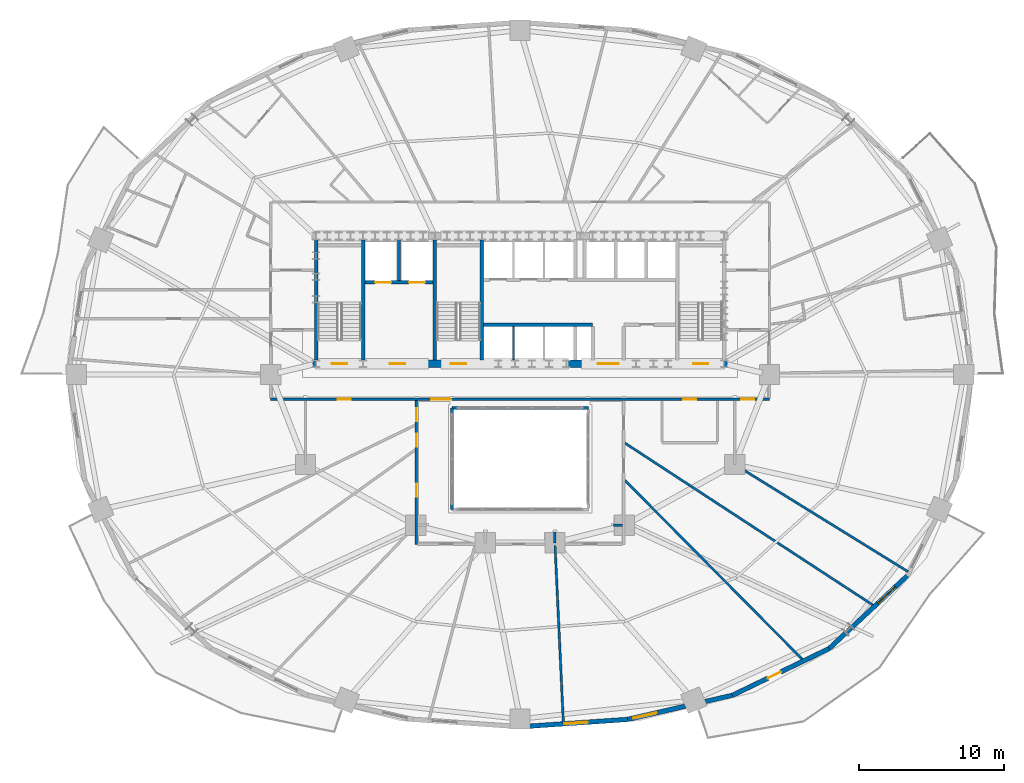
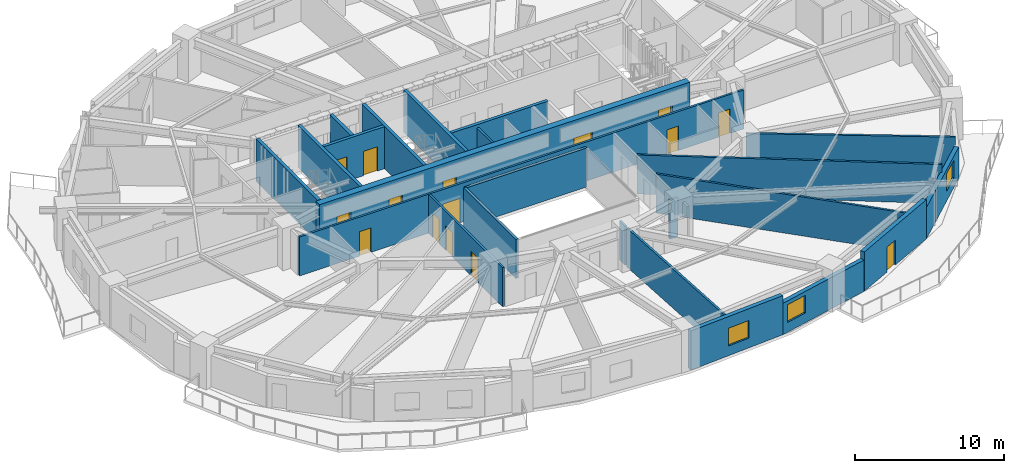
# One storey, part 10 of 17: 23 walls, 15 doors, 3 windows, 18 openings.
"""IFC4 building model written with IfcOpenShell, lengths in metres."""

from ifc_helpers import new_model, si_unit, direction, frame, frame_2d, origin, place, context, subcontext, project, spatial, rectangle, extrude, material, layer, layer_set, type_object, element, fill, save


model = new_model("IFC4")

# Units and contexts
model_context = context("Model", 3, precision=1e-05, world=origin(), true_north=direction((0.0, 1.0)))
body_context = subcontext(model_context, "Body", "Model", "MODEL_VIEW")
ifc_project = project(units=[si_unit("LENGTHUNIT", "METRE"), si_unit("AREAUNIT", "SQUARE_METRE"), si_unit("VOLUMEUNIT", "CUBIC_METRE"), si_unit("PLANEANGLEUNIT", "RADIAN"), si_unit("MASSUNIT", "GRAM", prefix="KILO")], contexts=[model_context])

# Site, building, storey
site_placement = place(None, origin())
site = spatial("IfcSite", under=ifc_project, at=site_placement, CompositionType="ELEMENT")
building_placement = place(site_placement, origin())
building = spatial("IfcBuilding", under=site, at=building_placement, Name="Haldorwick Loom Tower", CompositionType="ELEMENT")
storey_placement = place(building_placement, frame((0.0, 0.0, 34.35009765625)))
storey = spatial("IfcBuildingStorey", under=building, at=storey_placement, Name="L08", CompositionType="ELEMENT", Elevation=34.35009765625)

# Wall, opening, window
ifc_material_1 = material(Name="Pressed Clay Face Brick and Insulated Masonry Backup Assembly", Category="masonry")
ifc_layer_1 = layer(ifc_material_1, 0.320068359375, Name="Pressed Clay Face Brick and Insulated Masonry Backup Assembly", Category="masonry")
ifc_layer_set_1 = layer_set([ifc_layer_1], Name="Pressed Clay Face Brick and Insulated Masonry Backup Assembly")
wall_type_1 = type_object("IfcWallType", Name="ARC-WL-EXT320", PredefinedType="STANDARD", material=ifc_layer_set_1)
wall_1_placement = place(storey_placement, frame((36.0, 1.7099609375, 0.0), z_axis=(0.0, 0.0, 1.0), x_axis=(0.997645161917, 0.068586667092, 0.0)))
wall_1 = element("IfcWall", 1, at=wall_1_placement, inside=storey, type_object=wall_type_1, Name="L08 Brick Pier and Spandrel Wall 19", PredefinedType="STANDARD", context=body_context, shape_type="SweptSolid", body=[
    extrude(rectangle(XDim=7.428955078125, YDim=0.320068359375, at=frame_2d((3.71435546875, 0.0))), origin(), (0.0, 0.0, 1.0), 3.2099609375),
])
opening_1_placement = place(wall_1_placement, frame((3.039306640625, 0.0, 0.800048828125)))
opening_1 = element("IfcOpeningElement", 2, at=opening_1_placement, cuts=wall_1, Name="Opening W-01B", PredefinedType="OPENING", context=body_context, shape_type="SweptSolid", body=[
    extrude(rectangle(XDim=1.64990234375, YDim=1.449951171875, at=frame_2d((0.824951171875, 0.72509765625))), frame((0.0, 0.169921875, 0.0), z_axis=(0.0, -1.0, 0.0), x_axis=(1.0, 0.0, 0.0)), (0.0, 0.0, 1.0), 0.340087890625),
])
ifc_material_2 = material(Name="Triple-Glazed Low-E Argon Insulated Glazing Unit", Category="glass")
window_type = type_object("IfcWindowType", Name="ARC-WIN-W165", PartitioningType="SINGLE_PANEL", PredefinedType="WINDOW", material=ifc_material_2)
window_1_placement = place(opening_1_placement, origin())
window_1 = element("IfcWindow", 3, at=window_1_placement, inside=storey, type_object=window_type, Name="L08 Deep-Set Zone 7A Window 19", OverallHeight=1.449951171875, OverallWidth=1.64990234375, PartitioningType="SINGLE_PANEL", PredefinedType="WINDOW", context=body_context, shape_type="SweptSolid", body=[
    extrude(rectangle(XDim=1.64990234375, YDim=1.449951171875, at=frame_2d((0.824951171875, 0.72509765625))), frame((0.0, 0.030029296875, 0.0), z_axis=(0.0, -1.0, 0.0), x_axis=(1.0, 0.0, 0.0)), (0.0, 0.0, 1.0), 0.06005859375),
])
fill(opening_1, window_1)

wall_2_placement = place(storey_placement, frame((43.411376953125, 2.219482421875, 0.0), z_axis=(0.0, 0.0, 1.0), x_axis=(0.974522412345, 0.224290142088, 0.0)))
wall_2 = element("IfcWall", 4, at=wall_2_placement, inside=storey, type_object=wall_type_1, Name="L08 Brick Pier and Spandrel Wall 20", PredefinedType="STANDARD", context=body_context, shape_type="SweptSolid", body=[
    extrude(rectangle(XDim=7.422607421875, YDim=0.320068359375, at=frame_2d((3.71142578125, 0.0))), origin(), (0.0, 0.0, 1.0), 2.56884765625),
])
opening_2_placement = place(wall_2_placement, frame((0.39990234375, 0.0, 0.800048828125)))
opening_2 = element("IfcOpeningElement", 5, at=opening_2_placement, cuts=wall_2, Name="Opening W-01B", PredefinedType="OPENING", context=body_context, shape_type="SweptSolid", body=[
    extrude(rectangle(XDim=1.64990234375, YDim=1.449951171875, at=frame_2d((0.824951171875, 0.72509765625))), frame((0.0, 0.169921875, 0.0), z_axis=(0.0, -1.0, 0.0), x_axis=(1.0, 0.0, 0.0)), (0.0, 0.0, 1.0), 0.340087890625),
])
window_2_placement = place(opening_2_placement, origin())
window_2 = element("IfcWindow", 6, at=window_2_placement, inside=storey, type_object=window_type, Name="L08 Deep-Set Zone 7A Window 20", OverallHeight=1.449951171875, OverallWidth=1.64990234375, PartitioningType="SINGLE_PANEL", PredefinedType="WINDOW", context=body_context, shape_type="SweptSolid", body=[
    extrude(rectangle(XDim=1.64990234375, YDim=1.449951171875, at=frame_2d((0.824951171875, 0.72509765625))), frame((0.0, 0.030029296875, 0.0), z_axis=(0.0, -1.0, 0.0), x_axis=(1.0, 0.0, 0.0)), (0.0, 0.0, 1.0), 0.06005859375),
])
fill(opening_2, window_2)

# Wall, opening, door
wall_3_placement = place(storey_placement, frame((50.644775390625, 3.88427734375, 0.0), z_axis=(0.0, 0.0, 1.0), x_axis=(0.900295710431, 0.435278800057, 0.0)))
wall_3 = element("IfcWall", 7, at=wall_3_placement, inside=storey, type_object=wall_type_1, Name="L08 Brick Pier and Spandrel Wall 21", PredefinedType="STANDARD", context=body_context, shape_type="SweptSolid", body=[
    extrude(rectangle(XDim=7.39697265625, YDim=0.320068359375, at=frame_2d((3.698486328125, 0.0))), origin(), (0.0, 0.0, 1.0), 3.2099609375),
])
opening_3_placement = place(wall_3_placement, frame((2.705322265625, 0.0, 0.0)))
opening_3 = element("IfcOpeningElement", 8, at=opening_3_placement, cuts=wall_3, Name="Opening D-BL10", PredefinedType="OPENING", context=body_context, shape_type="SweptSolid", body=[
    extrude(rectangle(XDim=1.0, YDim=2.0400390625, at=frame_2d((0.5, 1.02001953125))), frame((0.0, 0.169921875, 0.0), z_axis=(0.0, -1.0, 0.0), x_axis=(1.0, 0.0, 0.0)), (0.0, 0.0, 1.0), 0.340087890625),
])
ifc_material_3 = material(Name="Thermally Broken Anodized Aluminium Curtain Wall Framing", Category="aluminium")
door_type_1 = type_object("IfcDoorType", Name="ARC-DR-BAL100", OperationType="NOTDEFINED", PredefinedType="DOOR", material=ifc_material_3)
door_1_placement = place(opening_3_placement, origin())
door_1 = element("IfcDoor", 9, at=door_1_placement, inside=storey, type_object=door_type_1, Name="L08 Outdoor Terrace Door SLB-L08-BAL_SE", OperationType="SINGLE_SWING_RIGHT", OverallHeight=2.0400390625, OverallWidth=1.0, PredefinedType="DOOR", context=body_context, shape_type="SweptSolid", body=[
    extrude(rectangle(XDim=1.0, YDim=2.0400390625, at=frame_2d((0.5, 1.02001953125))), frame((0.0, 0.02490234375, 0.0), z_axis=(0.0, -1.0, 0.0), x_axis=(1.0, 0.0, 0.0)), (0.0, 0.0, 1.0), 0.050048828125),
])
fill(opening_3, door_1)

# Wall, opening, window
wall_4_placement = place(storey_placement, frame((57.30419921875, 7.10400390625, 0.0), z_axis=(0.0, 0.0, 1.0), x_axis=(0.73176101237, 0.681561311091, 0.0)))
wall_4 = element("IfcWall", 10, at=wall_4_placement, inside=storey, type_object=wall_type_1, Name="L08 Brick Pier and Spandrel Wall 22", PredefinedType="STANDARD", context=body_context, shape_type="SweptSolid", body=[
    extrude(rectangle(XDim=7.3583984375, YDim=0.320068359375, at=frame_2d((3.67919921875, 0.0))), origin(), (0.0, 0.0, 1.0), 2.56884765625),
])
opening_4_placement = place(wall_4_placement, frame((4.590087890625, 0.0, 0.800048828125)))
opening_4 = element("IfcOpeningElement", 11, at=opening_4_placement, cuts=wall_4, Name="Opening W-01B", PredefinedType="OPENING", context=body_context, shape_type="SweptSolid", body=[
    extrude(rectangle(XDim=1.64990234375, YDim=1.449951171875, at=frame_2d((0.824951171875, 0.72509765625))), frame((0.0, 0.169921875, 0.0), z_axis=(0.0, -1.0, 0.0), x_axis=(1.0, 0.0, 0.0)), (0.0, 0.0, 1.0), 0.340087890625),
])
window_3_placement = place(opening_4_placement, origin())
window_3 = element("IfcWindow", 12, at=window_3_placement, inside=storey, type_object=window_type, Name="L08 Deep-Set Zone 7A Window 22", OverallHeight=1.449951171875, OverallWidth=1.64990234375, PartitioningType="SINGLE_PANEL", PredefinedType="WINDOW", context=body_context, shape_type="SweptSolid", body=[
    extrude(rectangle(XDim=1.64990234375, YDim=1.449951171875, at=frame_2d((0.824951171875, 0.72509765625))), frame((0.0, 0.030029296875, 0.0), z_axis=(0.0, -1.0, 0.0), x_axis=(1.0, 0.0, 0.0)), (0.0, 0.0, 1.0), 0.06005859375),
])
fill(opening_4, window_3)

# Wall, openings, doors
ifc_material_4 = material(Name="Fire-Rated Type X Gypsum Stud Assembly EI 60")
ifc_layer_2 = layer(ifc_material_4, 0.159912109375, Name="Fire-Rated Type X Gypsum Stud Assembly EI 60")
ifc_layer_set_2 = layer_set([ifc_layer_2], Name="Fire-Rated Type X Gypsum Stud Assembly EI 60")
wall_type_2 = type_object("IfcWallType", Name="ARC-WL-FIRE160", PredefinedType="PARTITIONING", material=ifc_layer_set_2)
wall_5_placement = place(storey_placement, frame((18.800048828125, 24.300048828125, 0.0), z_axis=(0.0, 0.0, 1.0), x_axis=(1.0, 0.0, 0.0)))
wall_5 = element("IfcWall", 13, at=wall_5_placement, inside=storey, type_object=wall_type_2, Name="L08 Residential Fire Partition L08-CR-SP", PredefinedType="PARTITIONING", context=body_context, shape_type="SweptSolid", body=[
    extrude(rectangle(XDim=34.39990234375, YDim=0.159912109375, at=frame_2d((17.199951171875, 0.0))), origin(), (0.0, 0.0, 1.0), 3.19482421875),
])
opening_5_placement = place(wall_5_placement, frame((11.085693359375, 0.0, 0.0)))
opening_5 = element("IfcOpeningElement", 14, at=opening_5_placement, cuts=wall_5, Name="Opening D-CR15", PredefinedType="OPENING", context=body_context, shape_type="SweptSolid", body=[
    extrude(rectangle(XDim=1.35009765625, YDim=2.0, at=frame_2d((0.675048828125, 1.0))), frame((0.0, 0.08984375, 0.0), z_axis=(0.0, -1.0, 0.0), x_axis=(1.0, 0.0, 0.0)), (0.0, 0.0, 1.0), 0.179931640625),
])
opening_6_placement = place(wall_5_placement, frame((4.621826171875, 0.0, 0.0)))
opening_6 = element("IfcOpeningElement", 15, at=opening_6_placement, cuts=wall_5, Name="Opening D-FD60A", PredefinedType="OPENING", context=body_context, shape_type="SweptSolid", body=[
    extrude(rectangle(XDim=0.89990234375, YDim=2.0, at=frame_2d((0.449951171875, 1.0))), frame((0.0, 0.08984375, 0.0), z_axis=(0.0, -1.0, 0.0), x_axis=(1.0, 0.0, 0.0)), (0.0, 0.0, 1.0), 0.179931640625),
])
opening_7_placement = place(wall_5_placement, frame((28.437255859375, 0.0, 0.0)))
opening_7 = element("IfcOpeningElement", 16, at=opening_7_placement, cuts=wall_5, Name="Opening D-FD60A", PredefinedType="OPENING", context=body_context, shape_type="SweptSolid", body=[
    extrude(rectangle(XDim=0.89990234375, YDim=2.0, at=frame_2d((0.449951171875, 1.0))), frame((0.0, 0.08984375, 0.0), z_axis=(0.0, -1.0, 0.0), x_axis=(1.0, 0.0, 0.0)), (0.0, 0.0, 1.0), 0.179931640625),
])
opening_8_placement = place(wall_5_placement, frame((32.436767578125, 0.0, 0.0)))
opening_8 = element("IfcOpeningElement", 17, at=opening_8_placement, cuts=wall_5, Name="Opening D-FD60A", PredefinedType="OPENING", context=body_context, shape_type="SweptSolid", body=[
    extrude(rectangle(XDim=0.89990234375, YDim=2.0, at=frame_2d((0.449951171875, 1.0))), frame((0.0, 0.08984375, 0.0), z_axis=(0.0, -1.0, 0.0), x_axis=(1.0, 0.0, 0.0)), (0.0, 0.0, 1.0), 0.179931640625),
])
ifc_material_5 = material(Name="Thermally Broken Anodized Aluminium and Tempered Glass", Category="aluminium")
door_type_2 = type_object("IfcDoorType", Name="ARC-DR-COR150", OperationType="NOTDEFINED", PredefinedType="DOOR", material=ifc_material_5)
door_2_placement = place(opening_5_placement, origin())
door_2 = element("IfcDoor", 18, at=door_2_placement, inside=storey, type_object=door_type_2, Name="L08 L08 Central Residential Corridor to L08 South Atrium Corridor Door", OperationType="DOUBLE_DOOR_SINGLE_SWING", OverallHeight=2.0, OverallWidth=1.35009765625, PredefinedType="DOOR", context=body_context, shape_type="SweptSolid", body=[
    extrude(rectangle(XDim=1.35009765625, YDim=2.0, at=frame_2d((0.675048828125, 1.0))), frame((0.0, 0.02490234375, 0.0), z_axis=(0.0, -1.0, 0.0), x_axis=(1.0, 0.0, 0.0)), (0.0, 0.0, 1.0), 0.050048828125),
])
fill(opening_5, door_2)
ifc_material_6 = material(Name="Hollow Steel Fire Door Assembly", Category="steel")
door_type_3 = type_object("IfcDoorType", Name="ARC-DR-FD60-90", OperationType="NOTDEFINED", PredefinedType="DOOR", material=ifc_material_6)
door_3_placement = place(opening_6_placement, origin())
door_3 = element("IfcDoor", 19, at=door_3_placement, inside=storey, type_object=door_type_3, Name="L08 L08 Central Residential Corridor to Shared Resident Dining Hall 9 Do", OperationType="SINGLE_SWING_RIGHT", OverallHeight=2.0, OverallWidth=0.89990234375, PredefinedType="DOOR", context=body_context, shape_type="SweptSolid", body=[
    extrude(rectangle(XDim=0.89990234375, YDim=2.0, at=frame_2d((0.449951171875, 1.0))), frame((0.0, 0.02490234375, 0.0), z_axis=(0.0, -1.0, 0.0), x_axis=(1.0, 0.0, 0.0)), (0.0, 0.0, 1.0), 0.050048828125),
])
fill(opening_6, door_3)
door_4_placement = place(opening_7_placement, origin())
door_4 = element("IfcDoor", 20, at=door_4_placement, inside=storey, type_object=door_type_3, Name="L08 L08 Central Residential Corridor to Common Accessible WC Door", OperationType="SINGLE_SWING_LEFT", OverallHeight=2.0, OverallWidth=0.89990234375, PredefinedType="DOOR", context=body_context, shape_type="SweptSolid", body=[
    extrude(rectangle(XDim=0.89990234375, YDim=2.0, at=frame_2d((0.449951171875, 1.0))), frame((0.0, 0.02490234375, 0.0), z_axis=(0.0, -1.0, 0.0), x_axis=(1.0, 0.0, 0.0)), (0.0, 0.0, 1.0), 0.050048828125),
])
fill(opening_7, door_4)
door_5_placement = place(opening_8_placement, origin())
door_5 = element("IfcDoor", 21, at=door_5_placement, inside=storey, type_object=door_type_3, Name="L08 L08 Central Residential Corridor to Shared Resident Dining Hall 20 D", OperationType="SINGLE_SWING_LEFT", OverallHeight=2.0, OverallWidth=0.89990234375, PredefinedType="DOOR", context=body_context, shape_type="SweptSolid", body=[
    extrude(rectangle(XDim=0.89990234375, YDim=2.0, at=frame_2d((0.449951171875, 1.0))), frame((0.0, 0.02490234375, 0.0), z_axis=(0.0, -1.0, 0.0), x_axis=(1.0, 0.0, 0.0)), (0.0, 0.0, 1.0), 0.050048828125),
])
fill(opening_8, door_5)

wall_6_placement = place(storey_placement, frame((28.85009765625, 14.300048828125, 0.0), z_axis=(0.0, 0.0, 1.0), x_axis=(0.0, 1.0, 0.0)))
wall_6 = element("IfcWall", 22, at=wall_6_placement, inside=storey, type_object=wall_type_2, Name="L08 Residential Fire Partition L08-CR-AW", PredefinedType="PARTITIONING", context=body_context, shape_type="SweptSolid", body=[
    extrude(rectangle(XDim=9.9169921875, YDim=0.159912109375, at=frame_2d((4.95849609375, 0.0))), origin(), (0.0, 0.0, 1.0), 3.19482421875),
])
opening_9_placement = place(wall_6_placement, frame((3.27685546875, 0.0, 0.0)))
opening_9 = element("IfcOpeningElement", 23, at=opening_9_placement, cuts=wall_6, Name="Opening D-FD60A", PredefinedType="OPENING", context=body_context, shape_type="SweptSolid", body=[
    extrude(rectangle(XDim=0.89990234375, YDim=2.0, at=frame_2d((0.449951171875, 1.0))), frame((0.0, 0.08984375, 0.0), z_axis=(0.0, -1.0, 0.0), x_axis=(1.0, 0.0, 0.0)), (0.0, 0.0, 1.0), 0.179931640625),
])
opening_10_placement = place(wall_6_placement, frame((8.475341796875, 0.0, 0.0)))
opening_10 = element("IfcOpeningElement", 24, at=opening_10_placement, cuts=wall_6, Name="Opening D-FD60A", PredefinedType="OPENING", context=body_context, shape_type="SweptSolid", body=[
    extrude(rectangle(XDim=0.89990234375, YDim=2.0, at=frame_2d((0.449951171875, 1.0))), frame((0.0, 0.08984375, 0.0), z_axis=(0.0, -1.0, 0.0), x_axis=(1.0, 0.0, 0.0)), (0.0, 0.0, 1.0), 0.179931640625),
])
opening_11_placement = place(wall_6_placement, frame((6.71240234375, 0.0, 0.0)))
opening_11 = element("IfcOpeningElement", 25, at=opening_11_placement, cuts=wall_6, Name="Opening D-FD60A", PredefinedType="OPENING", context=body_context, shape_type="SweptSolid", body=[
    extrude(rectangle(XDim=0.89990234375, YDim=2.0, at=frame_2d((0.449951171875, 1.0))), frame((0.0, 0.08984375, 0.0), z_axis=(0.0, -1.0, 0.0), x_axis=(1.0, 0.0, 0.0)), (0.0, 0.0, 1.0), 0.179931640625),
])
door_6_placement = place(opening_9_placement, frame((0.89990234375, 0.0, 0.0), z_axis=(0.0, 0.0, 1.0), x_axis=(-1.0, 0.0, 0.0)))
door_6 = element("IfcDoor", 26, at=door_6_placement, inside=storey, type_object=door_type_3, Name="L08 Shared Resident Dining Hall 7 to L08 South Atrium Corridor Door", OperationType="SINGLE_SWING_RIGHT", OverallHeight=2.0, OverallWidth=0.89990234375, PredefinedType="DOOR", context=body_context, shape_type="SweptSolid", body=[
    extrude(rectangle(XDim=0.89990234375, YDim=2.0, at=frame_2d((0.449951171875, 1.0))), frame((0.0, 0.02490234375, 0.0), z_axis=(0.0, -1.0, 0.0), x_axis=(1.0, 0.0, 0.0)), (0.0, 0.0, 1.0), 0.050048828125),
])
fill(opening_9, door_6)
door_7_placement = place(opening_10_placement, frame((0.89990234375, 0.0, 0.0), z_axis=(0.0, 0.0, 1.0), x_axis=(-1.0, 0.0, 0.0)))
door_7 = element("IfcDoor", 27, at=door_7_placement, inside=storey, type_object=door_type_3, Name="L08 Shared Resident Dining Hall 9 to L08 South Atrium Corridor Door", OperationType="SINGLE_SWING_RIGHT", OverallHeight=2.0, OverallWidth=0.89990234375, PredefinedType="DOOR", context=body_context, shape_type="SweptSolid", body=[
    extrude(rectangle(XDim=0.89990234375, YDim=2.0, at=frame_2d((0.449951171875, 1.0))), frame((0.0, 0.02490234375, 0.0), z_axis=(0.0, -1.0, 0.0), x_axis=(1.0, 0.0, 0.0)), (0.0, 0.0, 1.0), 0.050048828125),
])
fill(opening_10, door_7)
door_8_placement = place(opening_11_placement, frame((0.89990234375, 0.0, 0.0), z_axis=(0.0, 0.0, 1.0), x_axis=(-1.0, 0.0, 0.0)))
door_8 = element("IfcDoor", 28, at=door_8_placement, inside=storey, type_object=door_type_3, Name="L08 Shared Resident Dining Hall 8 to L08 South Atrium Corridor Door", OperationType="SINGLE_SWING_LEFT", OverallHeight=2.0, OverallWidth=0.89990234375, PredefinedType="DOOR", context=body_context, shape_type="SweptSolid", body=[
    extrude(rectangle(XDim=0.89990234375, YDim=2.0, at=frame_2d((0.449951171875, 1.0))), frame((0.0, 0.02490234375, 0.0), z_axis=(0.0, -1.0, 0.0), x_axis=(1.0, 0.0, 0.0)), (0.0, 0.0, 1.0), 0.050048828125),
])
fill(opening_11, door_8)

# Walls
wall_7_placement = place(storey_placement, frame((50.800048828125, 19.800048828125, 0.0), z_axis=(0.0, 0.0, 1.0), x_axis=(0.850535127124, -0.525918242248, 0.0)))
element("IfcWall", 29, at=wall_7_placement, inside=storey, type_object=wall_type_2, Name="L08 Residential Fire Partition L08-ICR-02", PredefinedType="PARTITIONING", context=body_context, shape_type="SweptSolid", body=[
    extrude(rectangle(XDim=14.0625, YDim=0.159912109375, at=frame_2d((7.03125, 0.0))), origin(), (0.0, 0.0, 1.0), 3.19482421875),
])
wall_8_placement = place(storey_placement, frame((38.40869140625, 14.217041015625, 0.0), z_axis=(0.0, 0.0, 1.0), x_axis=(0.046913692992, -0.998898946546, 0.0)))
element("IfcWall", 30, at=wall_8_placement, inside=storey, type_object=wall_type_2, Name="L08 Residential Fire Partition L08-ICR-05", PredefinedType="PARTITIONING", context=body_context, shape_type="SweptSolid", body=[
    extrude(rectangle(XDim=12.250244140625, YDim=0.159912109375, at=frame_2d((6.125, 0.0))), origin(), (0.0, 0.0, 1.0), 3.19482421875),
])
wall_9_placement = place(storey_placement, frame((42.449951171875, 15.60009765625, 0.0), z_axis=(0.0, 0.0, 1.0), x_axis=(1.0, 0.0, 0.0)))
element("IfcWall", 31, at=wall_9_placement, inside=storey, type_object=wall_type_2, Name="L08 Residential Fire Partition L08-ICA-03", PredefinedType="PARTITIONING", context=body_context, shape_type="SweptSolid", body=[
    extrude(rectangle(XDim=0.616943359375, YDim=0.159912109375, at=frame_2d((0.30859375, 0.0))), origin(), (0.0, 0.0, 1.0), 3.19482421875),
])
wall_10_placement = place(storey_placement, frame((38.39990234375, 15.14990234375, 0.0), z_axis=(0.0, 0.0, 1.0), x_axis=(0.0, -1.0, 0.0)))
element("IfcWall", 32, at=wall_10_placement, inside=storey, type_object=wall_type_2, Name="L08 Residential Fire Partition L08-ICA-04", PredefinedType="PARTITIONING", context=body_context, shape_type="SweptSolid", body=[
    extrude(rectangle(XDim=0.75, YDim=0.159912109375, at=frame_2d((0.375, 0.0))), origin(), (0.0, 0.0, 1.0), 3.19482421875),
])
wall_11_placement = place(storey_placement, frame((43.23291015625, 18.702392578125, 0.0), z_axis=(0.0, 0.0, 1.0), x_axis=(0.703965315015, -0.710234352348, 0.0)))
element("IfcWall", 33, at=wall_11_placement, inside=storey, type_object=wall_type_2, Name="L08 Suite Split Wall", PredefinedType="PARTITIONING", context=body_context, shape_type="SweptSolid", body=[
    extrude(rectangle(XDim=17.44677734375, YDim=0.159912109375, at=frame_2d((8.723388671875, 0.0))), origin(), (0.0, 0.0, 1.0), 3.19482421875),
])
wall_12_placement = place(storey_placement, frame((43.23291015625, 21.2744140625, 0.0), z_axis=(0.0, 0.0, 1.0), x_axis=(0.837153835171, -0.546967509326, 0.0)))
element("IfcWall", 34, at=wall_12_placement, inside=storey, type_object=wall_type_2, Name="L08 Suite Split Wall", PredefinedType="PARTITIONING", context=body_context, shape_type="SweptSolid", body=[
    extrude(rectangle(XDim=20.492919921875, YDim=0.159912109375, at=frame_2d((10.24658203125, 0.0))), origin(), (0.0, 0.0, 1.0), 3.19482421875),
])
ifc_material_7 = material(Name="Fire-Rated Type X Gypsum Stud Assembly EI 120")
ifc_layer_3 = layer(ifc_material_7, 0.199951171875, Name="Fire-Rated Type X Gypsum Stud Assembly EI 120")
ifc_layer_set_3 = layer_set([ifc_layer_3], Name="Fire-Rated Type X Gypsum Stud Assembly EI 120")
wall_type_3 = type_object("IfcWallType", Name="ARC-WL-FIRE200", PredefinedType="PARTITIONING", material=ifc_layer_set_3)
wall_13_placement = place(storey_placement, frame((31.300048828125, 23.699951171875, 0.0), z_axis=(0.0, 0.0, 1.0), x_axis=(1.0, 0.0, 0.0)))
element("IfcWall", 35, at=wall_13_placement, inside=storey, type_object=wall_type_3, Name="L08 Atrium Fire Enclosure Wall N", PredefinedType="PARTITIONING", context=body_context, shape_type="SweptSolid", body=[
    extrude(rectangle(XDim=9.39990234375, YDim=0.199951171875, at=frame_2d((4.699951171875, 0.0))), origin(), (0.0, 0.0, 1.0), 3.19482421875),
])
wall_14_placement = place(storey_placement, frame((31.300048828125, 16.699951171875, 0.0), z_axis=(0.0, 0.0, 1.0), x_axis=(0.0, 1.0, 0.0)))
element("IfcWall", 36, at=wall_14_placement, inside=storey, type_object=wall_type_3, Name="L08 Atrium Fire Enclosure Wall W", PredefinedType="PARTITIONING", context=body_context, shape_type="SweptSolid", body=[
    extrude(rectangle(XDim=7.0, YDim=0.199951171875, at=frame_2d((3.5, 0.0))), origin(), (0.0, 0.0, 1.0), 3.19482421875),
])
ifc_layer_4 = layer(ifc_material_7, 0.1650390625, Name="Fire-Rated Type X Gypsum Stud Assembly EI 120")
ifc_layer_set_4 = layer_set([ifc_layer_4], Name="Fire-Rated Type X Gypsum Stud Assembly EI 120")
wall_type_4 = type_object("IfcWallType", Name="ARC-WL-SHAFT160", PredefinedType="MOVABLE", material=ifc_layer_set_4)
wall_15_placement = place(storey_placement, frame((35.550048828125, 27.0029296875, 0.0), z_axis=(0.0, 0.0, 1.0), x_axis=(0.0, 1.0, 0.0)))
element("IfcWall", 37, at=wall_15_placement, inside=storey, type_object=wall_type_4, Name="L08 Mid-Rise Hoistway Divider 1", PredefinedType="MOVABLE", context=body_context, shape_type="SweptSolid", body=[
    extrude(rectangle(XDim=2.323974609375, YDim=0.159912109375, at=frame_2d((1.162109375, 0.0))), origin(), (0.0, 0.0, 1.0), 3.19482421875),
])

# Wall, openings, doors
ifc_material_8 = material(Name="Concrete C60 (60 MPa)", Category="concrete")
ifc_layer_5 = layer(ifc_material_8, 0.5, Name="Concrete C60 (60 MPa)", Category="concrete")
ifc_layer_set_5 = layer_set([ifc_layer_5], Name="Concrete C60 (60 MPa)")
wall_type_5 = type_object("IfcWallType", Name="STR-WL-CORE500", PredefinedType="SHEAR", material=ifc_layer_set_5)
wall_16_placement = place(storey_placement, frame((21.64990234375, 26.75, 0.0), z_axis=(0.0, 0.0, 1.0), x_axis=(1.0, 0.0, 0.0)))
wall_16 = element("IfcWall", 38, at=wall_16_placement, inside=storey, type_object=wall_type_5, Name="L08 Core Shear Wall S", PredefinedType="SHEAR", context=body_context, shape_type="SweptSolid", body=[
    extrude(rectangle(XDim=28.7001953125, YDim=0.5, at=frame_2d((14.35009765625, 0.0))), origin(), (0.0, 0.0, 1.0), 3.449951171875),
])
opening_12_placement = place(wall_16_placement, frame((1.375, 0.0, 0.0)))
opening_12 = element("IfcOpeningElement", 39, at=opening_12_placement, cuts=wall_16, Name="Opening D-FD60", PredefinedType="OPENING", context=body_context, shape_type="SweptSolid", body=[
    extrude(rectangle(XDim=1.050048828125, YDim=2.0, at=frame_2d((0.52490234375, 1.0))), frame((0.0, 0.260009765625, 0.0), z_axis=(0.0, -1.0, 0.0), x_axis=(1.0, 0.0, 0.0)), (0.0, 0.0, 1.0), 0.52001953125),
])
opening_13_placement = place(wall_16_placement, frame((5.375, 0.0, 0.0)))
opening_13 = element("IfcOpeningElement", 40, at=opening_13_placement, cuts=wall_16, Name="Opening D-FD60", PredefinedType="OPENING", context=body_context, shape_type="SweptSolid", body=[
    extrude(rectangle(XDim=1.050048828125, YDim=2.0, at=frame_2d((0.52490234375, 1.0))), frame((0.0, 0.260009765625, 0.0), z_axis=(0.0, -1.0, 0.0), x_axis=(1.0, 0.0, 0.0)), (0.0, 0.0, 1.0), 0.52001953125),
])
opening_14_placement = place(wall_16_placement, frame((9.574951171875, 0.0, 0.0)))
opening_14 = element("IfcOpeningElement", 41, at=opening_14_placement, cuts=wall_16, Name="Opening D-FD60", PredefinedType="OPENING", context=body_context, shape_type="SweptSolid", body=[
    extrude(rectangle(XDim=1.050048828125, YDim=2.0, at=frame_2d((0.52490234375, 1.0))), frame((0.0, 0.260009765625, 0.0), z_axis=(0.0, -1.0, 0.0), x_axis=(1.0, 0.0, 0.0)), (0.0, 0.0, 1.0), 0.52001953125),
])
opening_15_placement = place(wall_16_placement, frame((19.705078125, 0.0, 0.0)))
opening_15 = element("IfcOpeningElement", 42, at=opening_15_placement, cuts=wall_16, Name="Opening D-LB15", PredefinedType="OPENING", context=body_context, shape_type="SweptSolid", body=[
    extrude(rectangle(XDim=1.449951171875, YDim=2.0, at=frame_2d((0.72509765625, 1.0))), frame((0.0, 0.260009765625, 0.0), z_axis=(0.0, -1.0, 0.0), x_axis=(1.0, 0.0, 0.0)), (0.0, 0.0, 1.0), 0.52001953125),
])
opening_16_placement = place(wall_16_placement, frame((26.27490234375, 0.0, 0.0)))
opening_16 = element("IfcOpeningElement", 43, at=opening_16_placement, cuts=wall_16, Name="Opening D-FD60", PredefinedType="OPENING", context=body_context, shape_type="SweptSolid", body=[
    extrude(rectangle(XDim=1.050048828125, YDim=2.0, at=frame_2d((0.52490234375, 1.0))), frame((0.0, 0.260009765625, 0.0), z_axis=(0.0, -1.0, 0.0), x_axis=(1.0, 0.0, 0.0)), (0.0, 0.0, 1.0), 0.52001953125),
])
door_type_4 = type_object("IfcDoorType", Name="ARC-DR-FD60", OperationType="NOTDEFINED", PredefinedType="DOOR", material=ifc_material_6)
door_9_placement = place(opening_12_placement, origin())
door_9 = element("IfcDoor", 44, at=door_9_placement, inside=storey, type_object=door_type_4, Name="L08 Exit Stair ST-01 Fire Door", OperationType="SINGLE_SWING_RIGHT", OverallHeight=2.0, OverallWidth=1.050048828125, PredefinedType="DOOR", context=body_context, shape_type="SweptSolid", body=[
    extrude(rectangle(XDim=1.050048828125, YDim=2.0, at=frame_2d((0.52490234375, 1.0))), frame((0.0, 0.02490234375, 0.0), z_axis=(0.0, -1.0, 0.0), x_axis=(1.0, 0.0, 0.0)), (0.0, 0.0, 1.0), 0.050048828125),
])
fill(opening_12, door_9)
door_10_placement = place(opening_13_placement, origin())
door_10 = element("IfcDoor", 45, at=door_10_placement, inside=storey, type_object=door_type_4, Name="L08 Firefighting Lift Lobby Fire Door", OperationType="SINGLE_SWING_LEFT", OverallHeight=2.0, OverallWidth=1.050048828125, PredefinedType="DOOR", context=body_context, shape_type="SweptSolid", body=[
    extrude(rectangle(XDim=1.050048828125, YDim=2.0, at=frame_2d((0.52490234375, 1.0))), frame((0.0, 0.02490234375, 0.0), z_axis=(0.0, -1.0, 0.0), x_axis=(1.0, 0.0, 0.0)), (0.0, 0.0, 1.0), 0.050048828125),
])
fill(opening_13, door_10)
door_11_placement = place(opening_14_placement, origin())
door_11 = element("IfcDoor", 46, at=door_11_placement, inside=storey, type_object=door_type_4, Name="L08 Exit Stair ST-03 Fire Door", OperationType="SINGLE_SWING_LEFT", OverallHeight=2.0, OverallWidth=1.050048828125, PredefinedType="DOOR", context=body_context, shape_type="SweptSolid", body=[
    extrude(rectangle(XDim=1.050048828125, YDim=2.0, at=frame_2d((0.52490234375, 1.0))), frame((0.0, 0.02490234375, 0.0), z_axis=(0.0, -1.0, 0.0), x_axis=(1.0, 0.0, 0.0)), (0.0, 0.0, 1.0), 0.050048828125),
])
fill(opening_14, door_11)
door_12_placement = place(opening_16_placement, origin())
door_12 = element("IfcDoor", 47, at=door_12_placement, inside=storey, type_object=door_type_4, Name="L08 Exit Stair ST-02 Fire Door", OperationType="SINGLE_SWING_LEFT", OverallHeight=2.0, OverallWidth=1.050048828125, PredefinedType="DOOR", context=body_context, shape_type="SweptSolid", body=[
    extrude(rectangle(XDim=1.050048828125, YDim=2.0, at=frame_2d((0.52490234375, 1.0))), frame((0.0, 0.02490234375, 0.0), z_axis=(0.0, -1.0, 0.0), x_axis=(1.0, 0.0, 0.0)), (0.0, 0.0, 1.0), 0.050048828125),
])
fill(opening_16, door_12)
door_type_5 = type_object("IfcDoorType", Name="ARC-DR-LOB150", OperationType="NOTDEFINED", PredefinedType="DOOR", material=ifc_material_5)
door_13_placement = place(opening_15_placement, frame((1.449951171875, 0.0, 0.0), z_axis=(0.0, 0.0, 1.0), x_axis=(-1.0, 0.0, 0.0)))
door_13 = element("IfcDoor", 48, at=door_13_placement, inside=storey, type_object=door_type_5, Name="L08 Passenger Lift Lobby Fire Door", OperationType="DOUBLE_DOOR_SINGLE_SWING", OverallHeight=2.0, OverallWidth=1.449951171875, PredefinedType="DOOR", context=body_context, shape_type="SweptSolid", body=[
    extrude(rectangle(XDim=1.449951171875, YDim=2.0, at=frame_2d((0.72509765625, 1.0))), frame((0.0, 0.02490234375, 0.0), z_axis=(0.0, -1.0, 0.0), x_axis=(1.0, 0.0, 0.0)), (0.0, 0.0, 1.0), 0.050048828125),
])
fill(opening_15, door_13)

# Walls
ifc_material_9 = material(Name="Concrete C50 (50 MPa)", Category="concrete")
ifc_layer_6 = layer(ifc_material_9, 0.239990234375, Name="Concrete C50 (50 MPa)", Category="concrete")
ifc_layer_set_6 = layer_set([ifc_layer_6], Name="Concrete C50 (50 MPa)")
wall_type_6 = type_object("IfcWallType", Name="STR-WL-SHAFT240", PredefinedType="SHEAR", material=ifc_layer_set_6)
for number, where, z_axis, x_axis, name in (
    (49, (21.929931640625, 35.297119140625, 0.0), (0.0, 0.0, 1.0), (0.0, -1.0, 0.0), "L08 Core Shear Wall W"),
    (50, (25.169921875, 27.0029296875, 0.0), (0.0, 0.0, 1.0), (0.0, 1.0, 0.0), "L08 Core Shear Wall 1"),
    (51, (30.1298828125, 27.0029296875, 0.0), (0.0, 0.0, 1.0), (0.0, 1.0, 0.0), "L08 Core Shear Wall 2"),
    (52, (33.3701171875, 27.0029296875, 0.0), (0.0, 0.0, 1.0), (0.0, 1.0, 0.0), "L08 Core Shear Wall 3"),
):
    element("IfcWall", number, at=place(storey_placement, frame(where, z_axis=z_axis, x_axis=x_axis)), inside=storey, type_object=wall_type_6, Name=name, PredefinedType="SHEAR", context=body_context, shape_type="SweptSolid", body=[
        extrude(rectangle(XDim=8.294189453125, YDim=0.239990234375, at=frame_2d((4.14697265625, 0.0))), origin(), (0.0, 0.0, 1.0), 3.449951171875),
    ])

# Wall, openings, doors
wall_17_placement = place(storey_placement, frame((25.29296875, 32.35009765625, 0.0), z_axis=(0.0, 0.0, 1.0), x_axis=(1.0, 0.0, 0.0)))
wall_17 = element("IfcWall", 53, at=wall_17_placement, inside=storey, type_object=wall_type_6, Name="L08 Core Shear Wall FF", PredefinedType="SHEAR", context=body_context, shape_type="SweptSolid", body=[
    extrude(rectangle(XDim=4.714111328125, YDim=0.239990234375, at=frame_2d((2.35693359375, 0.0))), origin(), (0.0, 0.0, 1.0), 3.449951171875),
])
opening_17_placement = place(wall_17_placement, frame((0.70703125, 0.0, 0.0)))
opening_17 = element("IfcOpeningElement", 54, at=opening_17_placement, cuts=wall_17, Name="Opening LD-FF1", PredefinedType="OPENING", context=body_context, shape_type="SweptSolid", body=[
    extrude(rectangle(XDim=1.10009765625, YDim=2.0, at=frame_2d((0.550048828125, 1.0))), frame((0.0, 0.1298828125, 0.0), z_axis=(0.0, -1.0, 0.0), x_axis=(1.0, 0.0, 0.0)), (0.0, 0.0, 1.0), 0.260009765625),
])
opening_18_placement = place(wall_17_placement, frame((3.056884765625, 0.0, 0.0)))
opening_18 = element("IfcOpeningElement", 55, at=opening_18_placement, cuts=wall_17, Name="Opening LD-FF2", PredefinedType="OPENING", context=body_context, shape_type="SweptSolid", body=[
    extrude(rectangle(XDim=1.10009765625, YDim=2.0, at=frame_2d((0.550048828125, 1.0))), frame((0.0, 0.1298828125, 0.0), z_axis=(0.0, -1.0, 0.0), x_axis=(1.0, 0.0, 0.0)), (0.0, 0.0, 1.0), 0.260009765625),
])
door_type_6 = type_object("IfcDoorType", Name="ARC-DR-LD-FF", OperationType="NOTDEFINED", PredefinedType="USERDEFINED", material=ifc_material_6)
door_14_placement = place(opening_17_placement, origin())
door_14 = element("IfcDoor", 56, at=door_14_placement, inside=storey, type_object=door_type_6, Name="L08 Lift LF-FF1 Sliding Landing Door", ObjectType="LANDING DOOR", OperationType="DOUBLE_DOOR_SLIDING", OverallHeight=2.0, OverallWidth=1.10009765625, PredefinedType="USERDEFINED", context=body_context, shape_type="SweptSolid", body=[
    extrude(rectangle(XDim=1.10009765625, YDim=2.0, at=frame_2d((0.550048828125, 1.0))), frame((0.0, 0.02490234375, 0.0), z_axis=(0.0, -1.0, 0.0), x_axis=(1.0, 0.0, 0.0)), (0.0, 0.0, 1.0), 0.050048828125),
])
fill(opening_17, door_14)
door_15_placement = place(opening_18_placement, origin())
door_15 = element("IfcDoor", 57, at=door_15_placement, inside=storey, type_object=door_type_6, Name="L08 Lift LF-FF2 Sliding Landing Door", ObjectType="LANDING DOOR", OperationType="DOUBLE_DOOR_SLIDING", OverallHeight=2.0, OverallWidth=1.10009765625, PredefinedType="USERDEFINED", context=body_context, shape_type="SweptSolid", body=[
    extrude(rectangle(XDim=1.10009765625, YDim=2.0, at=frame_2d((0.550048828125, 1.0))), frame((0.0, 0.02490234375, 0.0), z_axis=(0.0, -1.0, 0.0), x_axis=(1.0, 0.0, 0.0)), (0.0, 0.0, 1.0), 0.050048828125),
])
fill(opening_18, door_15)

# Walls
wall_18_placement = place(storey_placement, frame((27.64990234375, 32.472900390625, 0.0), z_axis=(0.0, 0.0, 1.0), x_axis=(0.0, 1.0, 0.0)))
element("IfcWall", 58, at=wall_18_placement, inside=storey, type_object=wall_type_6, Name="L08 Core Shear Wall FFD", PredefinedType="SHEAR", context=body_context, shape_type="SweptSolid", body=[
    extrude(rectangle(XDim=2.82421875, YDim=0.239990234375, at=frame_2d((1.412109375, 0.0))), origin(), (0.0, 0.0, 1.0), 3.449951171875),
])
wall_19_placement = place(storey_placement, frame((33.492919921875, 29.449951171875, 0.0), z_axis=(0.0, 0.0, 1.0), x_axis=(1.0, 0.0, 0.0)))
element("IfcWall", 59, at=wall_19_placement, inside=storey, type_object=wall_type_6, Name="L08 Core Shear Wall LS1", PredefinedType="SHEAR", context=body_context, shape_type="SweptSolid", body=[
    extrude(rectangle(XDim=7.507080078125, YDim=0.239990234375, at=frame_2d((3.75341796875, 0.0))), origin(), (0.0, 0.0, 1.0), 3.449951171875),
])

save(model, "model.ifc")
